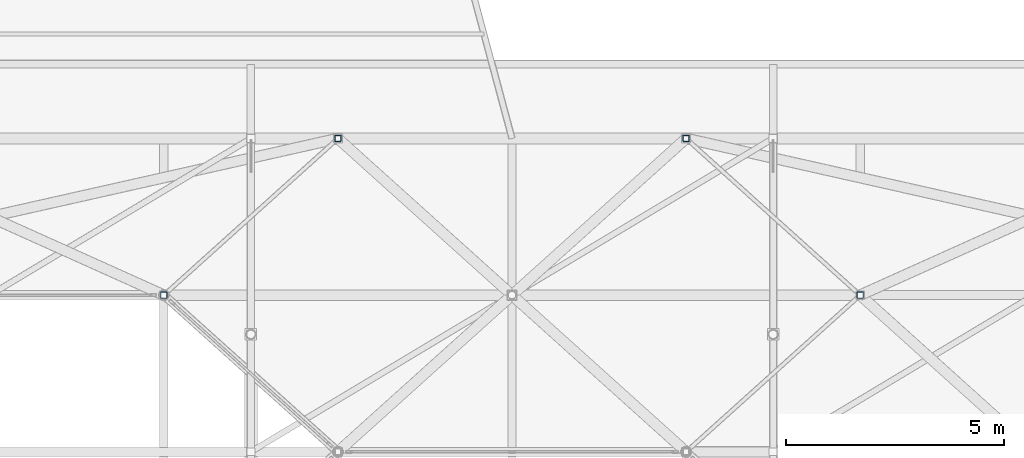
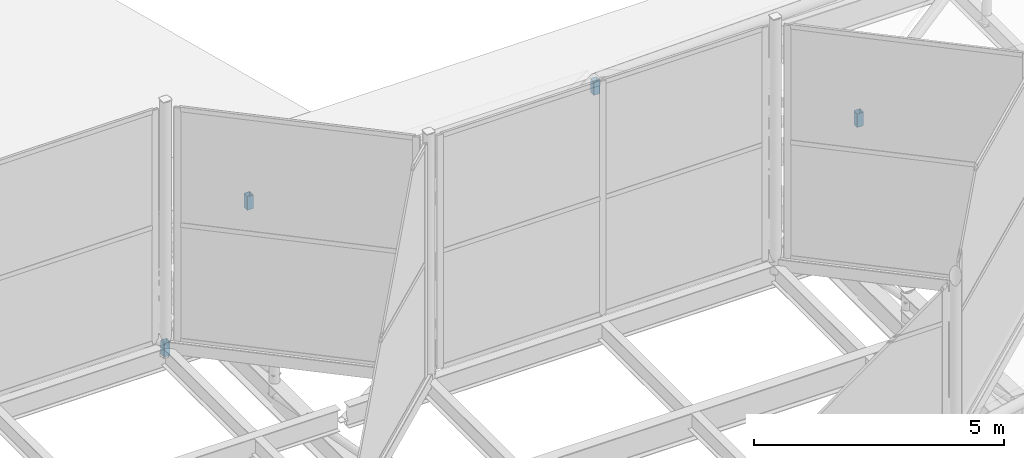
# One storey, part 202 of 239: 4 members.
"""IFC4 building model written with IfcOpenShell, lengths in metres."""

from ifc_helpers import new_model, si_unit, direction, frame, origin, origin_2d, place, context, subcontext, project, spatial, hollow_rectangle, extrude, material, material_profile, profile_set, type_object, element, save


model = new_model("IFC4")

# Units and contexts
model_context = context("Model", 3, precision=1e-05, world=origin(), true_north=direction((0.0, 1.0)))
body_context = subcontext(model_context, "Body", "Model", "MODEL_VIEW")
ifc_project = project(units=[si_unit("LENGTHUNIT", "METRE"), si_unit("AREAUNIT", "SQUARE_METRE"), si_unit("VOLUMEUNIT", "CUBIC_METRE"), si_unit("PLANEANGLEUNIT", "RADIAN"), si_unit("MASSUNIT", "GRAM", prefix="KILO")], contexts=[model_context])

# Site, building, storey
site_placement = place(None, origin())
site = spatial("IfcSite", under=ifc_project, at=site_placement, CompositionType="ELEMENT")
building_placement = place(site_placement, origin())
building = spatial("IfcBuilding", under=site, at=building_placement, Name="Dunvalen Ferry Terminal", CompositionType="ELEMENT")
storey_placement = place(building_placement, frame((0.0, 0.0, 9.840087890625)))
storey = spatial("IfcBuildingStorey", under=building, at=storey_placement, Name="L02", CompositionType="ELEMENT", Elevation=9.840087890625)

# Members
ifc_material = material(Name="Steel S355", Category="steel")
ifc_material_profile = material_profile(ifc_material, hollow_rectangle(XDim=0.14990234375, YDim=0.14990234375, WallThickness=0.008056640625, InnerFilletRadius=0.008056640625, OuterFilletRadius=0.01611328125, at=origin_2d()), Name="Steel S355")
ifc_profile_set = profile_set([ifc_material_profile], Name="Steel S355")
member_type = type_object("IfcMemberType", Name="STR-MB-SHS150", PredefinedType="BRACE", material=ifc_profile_set)
for number, where, z_axis, x_axis, name in (
    (1, (34.0, 82.800048828125, 0.77001953125), (0.0, 0.0, 1.0), (1.0, 0.0, 0.0), "HEX-17 Rim Pedestal Strut 3"),
    (2, (38.0, 86.39990234375, 0.77001953125), (0.0, 0.0, 1.0), (1.0, 0.0, 0.0), "HEX-17 Rim Pedestal Strut 4"),
    (3, (50.0, 82.800048828125, 0.77001953125), (0.0, 0.0, 1.0), (1.0, 0.0, 0.0), "HEX-22 Rim Pedestal Strut 4"),
    (4, (46.0, 86.39990234375, 0.77001953125), (0.0, 0.0, 1.0), (1.0, 0.0, 0.0), "HEX-22 Rim Pedestal Strut 5"),
):
    element("IfcMember", number, at=place(storey_placement, frame(where, z_axis=z_axis, x_axis=x_axis)), inside=storey, type_object=member_type, Name=name, PredefinedType="BRACE", context=body_context, shape_type="SweptSolid", body=[
        extrude(hollow_rectangle(XDim=0.14990234375, YDim=0.14990234375, WallThickness=0.008056640625, InnerFilletRadius=0.008056640625, OuterFilletRadius=0.01611328125, at=origin_2d()), origin(), (0.0, 0.0, 1.0), 0.329833984375),
    ])

save(model, "model.ifc")
